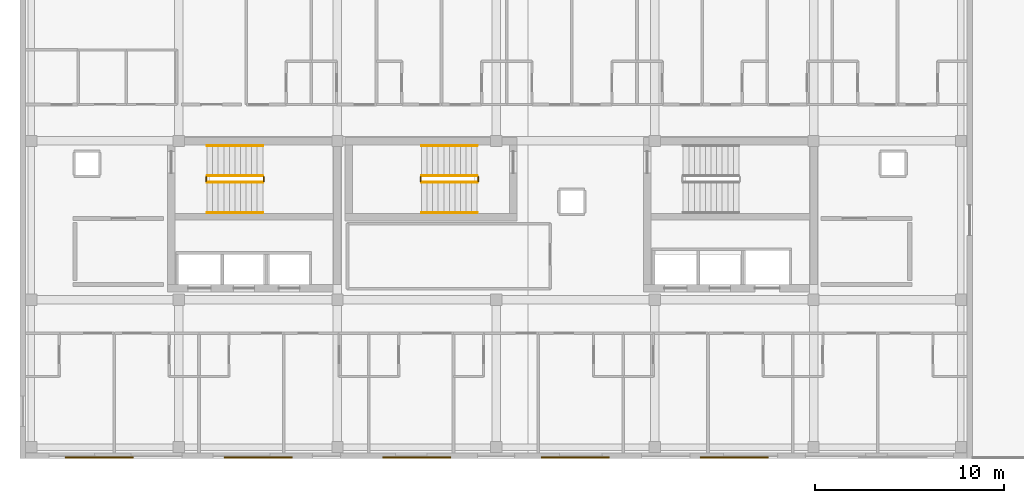
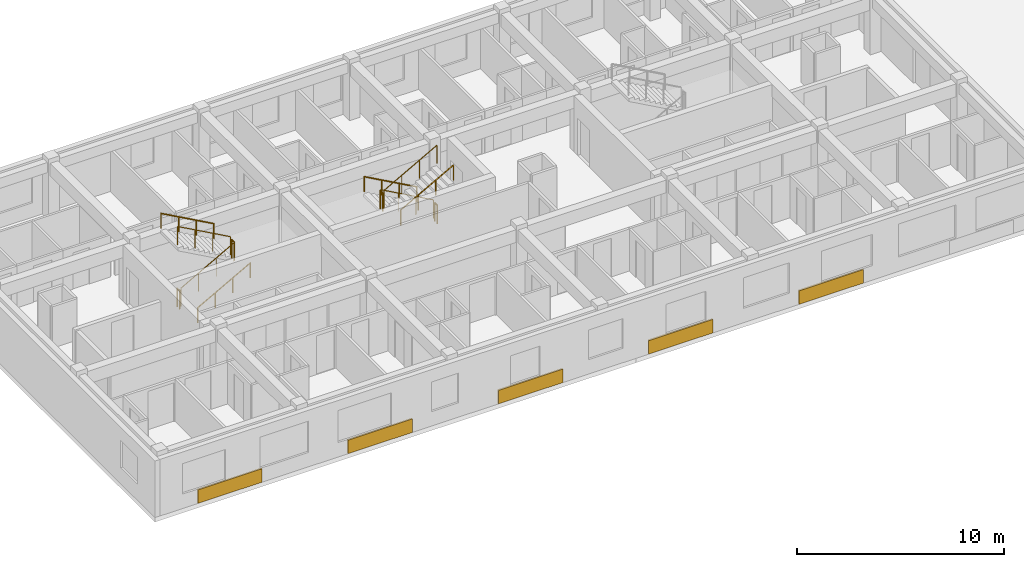
# One storey, part 8 of 9: 12 railings, 5 coverings.
"""IFC4 building model written with IfcOpenShell, lengths in metres."""

from ifc_helpers import new_model, si_unit, direction, frame, origin, origin_2d, place, context, subcontext, project, spatial, rectangle, circle, extrude, material, layer, layer_set, type_object, element, save


model = new_model("IFC4")

# Units and contexts
model_context = context("Model", 3, precision=1e-05, world=origin(), true_north=direction((0.0, 1.0)))
body_context = subcontext(model_context, "Body", "Model", "MODEL_VIEW")
ifc_project = project(units=[si_unit("LENGTHUNIT", "METRE"), si_unit("AREAUNIT", "SQUARE_METRE"), si_unit("VOLUMEUNIT", "CUBIC_METRE"), si_unit("PLANEANGLEUNIT", "RADIAN"), si_unit("MASSUNIT", "GRAM", prefix="KILO")], contexts=[model_context])

# Site, building, storey
site_placement = place(None, origin())
site = spatial("IfcSite", under=ifc_project, at=site_placement, CompositionType="ELEMENT")
building_placement = place(site_placement, origin())
building = spatial("IfcBuilding", under=site, at=building_placement, Name="Zayran Congress Hotel", CompositionType="ELEMENT")
storey_placement = place(building_placement, frame((0.0, 0.0, 40.800048828125)))
storey = spatial("IfcBuildingStorey", under=building, at=storey_placement, Name="L10", CompositionType="ELEMENT", Elevation=40.800048828125)

# Coverings
ifc_material_1 = material(Name="Ochre geometric bas-relief Hajar Ma'ani stone", Category="masonry")
ifc_layer = layer(ifc_material_1, 0.090087890625)
ifc_layer_set = layer_set([ifc_layer], Name="Ochre geometric bas-relief Hajar Ma'ani stone")
covering_type = type_object("IfcCoveringType", Name="TP-CLD-01", PredefinedType="CLADDING", material=ifc_layer_set)
for number, where, z_axis, x_axis, name in (
    (1, (21.0, 8.844970703125, 0.0), (0.0, 0.0, 1.0), (1.0, 0.0, 0.0), "CLD-V5S-L10-0"),
    (2, (29.39990234375, 8.844970703125, 0.0), (0.0, 0.0, 1.0), (1.0, 0.0, 0.0), "CLD-V5S-L10-1"),
    (3, (37.800048828125, 8.844970703125, 0.0), (0.0, 0.0, 1.0), (1.0, 0.0, 0.0), "CLD-V5S-L10-2"),
    (4, (46.199951171875, 8.844970703125, 0.0), (0.0, 0.0, 1.0), (1.0, 0.0, 0.0), "CLD-V5S-L10-3"),
    (5, (54.60009765625, 8.844970703125, 0.0), (0.0, 0.0, 1.0), (1.0, 0.0, 0.0), "CLD-V5S-L10-4"),
):
    element("IfcCovering", number, at=place(storey_placement, frame(where, z_axis=z_axis, x_axis=x_axis)), inside=storey, type_object=covering_type, Name=name, PredefinedType="CLADDING", context=body_context, shape_type="SweptSolid", body=[
        extrude(rectangle(XDim=3.60009765625, YDim=0.090087890625, at=origin_2d()), origin(), (0.0, 0.0, 1.0), 0.800048828125),
    ])

# Railings
ifc_material_2 = material(Name="Painted steel balustrade", Category="steel")
railing_type_1 = type_object("IfcRailingType", Name="TP-GRD-INT", PredefinedType="GUARDRAIL", material=ifc_material_2)
railing_1_placement = place(storey_placement, frame((26.699951171875, 23.409912109375, 0.16357421875)))
element("IfcRailing", 6, at=railing_1_placement, inside=storey, type_object=railing_type_1, Name="L10 ST-01 stair guard 1", PredefinedType="GUARDRAIL", context=body_context, shape_type="SweptSolid", body=[
    extrude(circle(Radius=0.02392578125, at=origin_2d()), frame((0.0, 0.0, 1.076171875), z_axis=(0.874457516365, 0.0, 0.485102104791), x_axis=(0.0, 1.0, 0.0)), (0.0, 0.0, 1.0), 3.37353515625),
    extrude(circle(Radius=0.02099609375, at=origin_2d()), origin(), (0.0, 0.0, 1.0), 1.052001953125),
    extrude(circle(Radius=0.02099609375, at=origin_2d()), frame((0.9833984375, 0.0, 0.54541015625)), (0.0, 0.0, 1.0), 1.052001953125),
    extrude(circle(Radius=0.02099609375, at=origin_2d()), frame((1.966552734375, 0.0, 1.091064453125)), (0.0, 0.0, 1.0), 1.052001953125),
    extrude(circle(Radius=0.02099609375, at=origin_2d()), frame((2.949951171875, 0.0, 1.636474609375)), (0.0, 0.0, 1.0), 1.052001953125),
])
railing_2_placement = place(storey_placement, frame((29.699951171875, 23.4599609375, 1.800048828125)))
element("IfcRailing", 7, at=railing_2_placement, inside=storey, type_object=railing_type_1, Name="L10 ST-01 stair guard 2", PredefinedType="GUARDRAIL", context=body_context, shape_type="SweptSolid", body=[
    extrude(circle(Radius=0.02392578125, at=origin_2d()), frame((0.0, 0.0, 1.076171875), z_axis=(0.0, 1.0, 0.0), x_axis=(-1.0, 0.0, 0.0)), (0.0, 0.0, 1.0), 0.239990234375),
    extrude(circle(Radius=0.02099609375, at=origin_2d()), origin(), (0.0, 0.0, 1.0), 1.052001953125),
    extrude(circle(Radius=0.02099609375, at=origin_2d()), frame((0.0, 0.239990234375, 0.0)), (0.0, 0.0, 1.0), 1.052001953125),
])
railing_3_placement = place(storey_placement, frame((29.64990234375, 23.75, 1.963623046875)))
element("IfcRailing", 8, at=railing_3_placement, inside=storey, type_object=railing_type_1, Name="L10 ST-01 stair guard 3", PredefinedType="GUARDRAIL", context=body_context, shape_type="SweptSolid", body=[
    extrude(circle(Radius=0.02392578125, at=origin_2d()), frame((0.0, 0.0, 1.076171875), z_axis=(-0.87448821551, 0.0, 0.485046761595), x_axis=(0.0, -1.0, 0.0)), (0.0, 0.0, 1.0), 3.373291015625),
    extrude(circle(Radius=0.02099609375, at=origin_2d()), origin(), (0.0, 0.0, 1.0), 1.052001953125),
    extrude(circle(Radius=0.02099609375, at=origin_2d()), frame((-0.9833984375, 0.0, 0.54541015625)), (0.0, 0.0, 1.0), 1.052001953125),
    extrude(circle(Radius=0.02099609375, at=origin_2d()), frame((-1.966552734375, 0.0, 1.0908203125)), (0.0, 0.0, 1.0), 1.052001953125),
    extrude(circle(Radius=0.02099609375, at=origin_2d()), frame((-2.949951171875, 0.0, 1.63623046875)), (0.0, 0.0, 1.0), 1.052001953125),
])
railing_4_placement = place(storey_placement, frame((26.64990234375, 23.4599609375, 0.0)))
element("IfcRailing", 9, at=railing_4_placement, inside=storey, type_object=railing_type_1, Name="L10 ST-01 stair guard 4", PredefinedType="GUARDRAIL", context=body_context, shape_type="SweptSolid", body=[
    extrude(circle(Radius=0.02392578125, at=origin_2d()), frame((0.0, 0.0, 1.076171875), z_axis=(0.0, 1.0, 0.0), x_axis=(-1.0, 0.0, 0.0)), (0.0, 0.0, 1.0), 0.239990234375),
    extrude(circle(Radius=0.02099609375, at=origin_2d()), origin(), (0.0, 0.0, 1.0), 1.052001953125),
    extrude(circle(Radius=0.02099609375, at=origin_2d()), frame((0.0, 0.239990234375, 0.0)), (0.0, 0.0, 1.0), 1.052001953125),
])
railing_5_placement = place(storey_placement, frame((41.0, 23.75, 0.16357421875)))
element("IfcRailing", 10, at=railing_5_placement, inside=storey, type_object=railing_type_1, Name="L10 ST-13 stair guard 1", PredefinedType="GUARDRAIL", context=body_context, shape_type="SweptSolid", body=[
    extrude(circle(Radius=0.02392578125, at=origin_2d()), frame((0.0, 0.0, 1.076171875), z_axis=(-0.874457516365, 0.0, 0.485102104791), x_axis=(0.0, -1.0, 0.0)), (0.0, 0.0, 1.0), 3.37353515625),
    extrude(circle(Radius=0.02099609375, at=origin_2d()), origin(), (0.0, 0.0, 1.0), 1.052001953125),
    extrude(circle(Radius=0.02099609375, at=origin_2d()), frame((-0.9833984375, 0.0, 0.54541015625)), (0.0, 0.0, 1.0), 1.052001953125),
    extrude(circle(Radius=0.02099609375, at=origin_2d()), frame((-1.966552734375, 0.0, 1.091064453125)), (0.0, 0.0, 1.0), 1.052001953125),
    extrude(circle(Radius=0.02099609375, at=origin_2d()), frame((-2.949951171875, 0.0, 1.636474609375)), (0.0, 0.0, 1.0), 1.052001953125),
])
railing_6_placement = place(storey_placement, frame((38.0, 23.699951171875, 1.800048828125)))
element("IfcRailing", 11, at=railing_6_placement, inside=storey, type_object=railing_type_1, Name="L10 ST-13 stair guard 2", PredefinedType="GUARDRAIL", context=body_context, shape_type="SweptSolid", body=[
    extrude(circle(Radius=0.02392578125, at=origin_2d()), frame((0.0, 0.0, 1.076171875), z_axis=(0.0, -1.0, 0.0), x_axis=(1.0, 0.0, 0.0)), (0.0, 0.0, 1.0), 0.239990234375),
    extrude(circle(Radius=0.02099609375, at=origin_2d()), origin(), (0.0, 0.0, 1.0), 1.052001953125),
    extrude(circle(Radius=0.02099609375, at=origin_2d()), frame((0.0, -0.239990234375, 0.0)), (0.0, 0.0, 1.0), 1.052001953125),
])
railing_7_placement = place(storey_placement, frame((38.050048828125, 23.409912109375, 1.963623046875)))
element("IfcRailing", 12, at=railing_7_placement, inside=storey, type_object=railing_type_1, Name="L10 ST-13 stair guard 3", PredefinedType="GUARDRAIL", context=body_context, shape_type="SweptSolid", body=[
    extrude(circle(Radius=0.02392578125, at=origin_2d()), frame((0.0, 0.0, 1.076171875), z_axis=(0.87448821551, 0.0, 0.485046761595), x_axis=(0.0, 1.0, 0.0)), (0.0, 0.0, 1.0), 3.373291015625),
    extrude(circle(Radius=0.02099609375, at=origin_2d()), origin(), (0.0, 0.0, 1.0), 1.052001953125),
    extrude(circle(Radius=0.02099609375, at=origin_2d()), frame((0.9833984375, 0.0, 0.54541015625)), (0.0, 0.0, 1.0), 1.052001953125),
    extrude(circle(Radius=0.02099609375, at=origin_2d()), frame((1.966552734375, 0.0, 1.0908203125)), (0.0, 0.0, 1.0), 1.052001953125),
    extrude(circle(Radius=0.02099609375, at=origin_2d()), frame((2.949951171875, 0.0, 1.63623046875)), (0.0, 0.0, 1.0), 1.052001953125),
])
railing_8_placement = place(storey_placement, frame((41.050048828125, 23.699951171875, 0.0)))
element("IfcRailing", 13, at=railing_8_placement, inside=storey, type_object=railing_type_1, Name="L10 ST-13 stair guard 4", PredefinedType="GUARDRAIL", context=body_context, shape_type="SweptSolid", body=[
    extrude(circle(Radius=0.02392578125, at=origin_2d()), frame((0.0, 0.0, 1.076171875), z_axis=(0.0, -1.0, 0.0), x_axis=(1.0, 0.0, 0.0)), (0.0, 0.0, 1.0), 0.239990234375),
    extrude(circle(Radius=0.02099609375, at=origin_2d()), origin(), (0.0, 0.0, 1.0), 1.052001953125),
    extrude(circle(Radius=0.02099609375, at=origin_2d()), frame((0.0, -0.239990234375, 0.0)), (0.0, 0.0, 1.0), 1.052001953125),
])
ifc_material_3 = material(Name="Brushed stainless steel handrail", Category="steel")
railing_type_2 = type_object("IfcRailingType", Name="TP-HND-STR", PredefinedType="HANDRAIL", material=ifc_material_3)
railing_9_placement = place(storey_placement, frame((26.699951171875, 21.81005859375, 0.16357421875)))
element("IfcRailing", 14, at=railing_9_placement, inside=storey, type_object=railing_type_2, Name="L10 ST-01 stair handrail 1", PredefinedType="HANDRAIL", context=body_context, shape_type="SweptSolid", body=[
    extrude(circle(Radius=0.02392578125, at=origin_2d()), frame((0.0, 0.0, 0.8759765625), z_axis=(0.874457516365, 0.0, 0.485102104791), x_axis=(0.0, 1.0, 0.0)), (0.0, 0.0, 1.0), 3.37353515625),
    extrude(circle(Radius=0.02099609375, at=origin_2d()), origin(), (0.0, 0.0, 1.0), 0.851806640625),
    extrude(circle(Radius=0.02099609375, at=origin_2d()), frame((0.9833984375, 0.0, 0.54541015625)), (0.0, 0.0, 1.0), 0.851806640625),
    extrude(circle(Radius=0.02099609375, at=origin_2d()), frame((1.966552734375, 0.0, 1.091064453125)), (0.0, 0.0, 1.0), 0.851806640625),
    extrude(circle(Radius=0.02099609375, at=origin_2d()), frame((2.949951171875, 0.0, 1.636474609375)), (0.0, 0.0, 1.0), 0.851806640625),
])
railing_10_placement = place(storey_placement, frame((29.64990234375, 25.35009765625, 1.963623046875)))
element("IfcRailing", 15, at=railing_10_placement, inside=storey, type_object=railing_type_2, Name="L10 ST-01 stair handrail 2", PredefinedType="HANDRAIL", context=body_context, shape_type="SweptSolid", body=[
    extrude(circle(Radius=0.02392578125, at=origin_2d()), frame((0.0, 0.0, 0.8759765625), z_axis=(-0.87448821551, 0.0, 0.485046761595), x_axis=(0.0, -1.0, 0.0)), (0.0, 0.0, 1.0), 3.373291015625),
    extrude(circle(Radius=0.02099609375, at=origin_2d()), origin(), (0.0, 0.0, 1.0), 0.851806640625),
    extrude(circle(Radius=0.02099609375, at=origin_2d()), frame((-0.9833984375, 0.0, 0.54541015625)), (0.0, 0.0, 1.0), 0.851806640625),
    extrude(circle(Radius=0.02099609375, at=origin_2d()), frame((-1.966552734375, 0.0, 1.0908203125)), (0.0, 0.0, 1.0), 0.851806640625),
    extrude(circle(Radius=0.02099609375, at=origin_2d()), frame((-2.949951171875, 0.0, 1.63623046875)), (0.0, 0.0, 1.0), 0.851806640625),
])
railing_11_placement = place(storey_placement, frame((41.0, 25.35009765625, 0.16357421875)))
element("IfcRailing", 16, at=railing_11_placement, inside=storey, type_object=railing_type_2, Name="L10 ST-13 stair handrail 1", PredefinedType="HANDRAIL", context=body_context, shape_type="SweptSolid", body=[
    extrude(circle(Radius=0.02392578125, at=origin_2d()), frame((0.0, 0.0, 0.8759765625), z_axis=(-0.874457516365, 0.0, 0.485102104791), x_axis=(0.0, -1.0, 0.0)), (0.0, 0.0, 1.0), 3.37353515625),
    extrude(circle(Radius=0.02099609375, at=origin_2d()), origin(), (0.0, 0.0, 1.0), 0.851806640625),
    extrude(circle(Radius=0.02099609375, at=origin_2d()), frame((-0.9833984375, 0.0, 0.54541015625)), (0.0, 0.0, 1.0), 0.851806640625),
    extrude(circle(Radius=0.02099609375, at=origin_2d()), frame((-1.966552734375, 0.0, 1.091064453125)), (0.0, 0.0, 1.0), 0.851806640625),
    extrude(circle(Radius=0.02099609375, at=origin_2d()), frame((-2.949951171875, 0.0, 1.636474609375)), (0.0, 0.0, 1.0), 0.851806640625),
])
railing_12_placement = place(storey_placement, frame((38.050048828125, 21.81005859375, 1.963623046875)))
element("IfcRailing", 17, at=railing_12_placement, inside=storey, type_object=railing_type_2, Name="L10 ST-13 stair handrail 2", PredefinedType="HANDRAIL", context=body_context, shape_type="SweptSolid", body=[
    extrude(circle(Radius=0.02392578125, at=origin_2d()), frame((0.0, 0.0, 0.8759765625), z_axis=(0.87448821551, 0.0, 0.485046761595), x_axis=(0.0, 1.0, 0.0)), (0.0, 0.0, 1.0), 3.373291015625),
    extrude(circle(Radius=0.02099609375, at=origin_2d()), origin(), (0.0, 0.0, 1.0), 0.851806640625),
    extrude(circle(Radius=0.02099609375, at=origin_2d()), frame((0.9833984375, 0.0, 0.54541015625)), (0.0, 0.0, 1.0), 0.851806640625),
    extrude(circle(Radius=0.02099609375, at=origin_2d()), frame((1.966552734375, 0.0, 1.0908203125)), (0.0, 0.0, 1.0), 0.851806640625),
    extrude(circle(Radius=0.02099609375, at=origin_2d()), frame((2.949951171875, 0.0, 1.63623046875)), (0.0, 0.0, 1.0), 0.851806640625),
])

save(model, "model.ifc")
